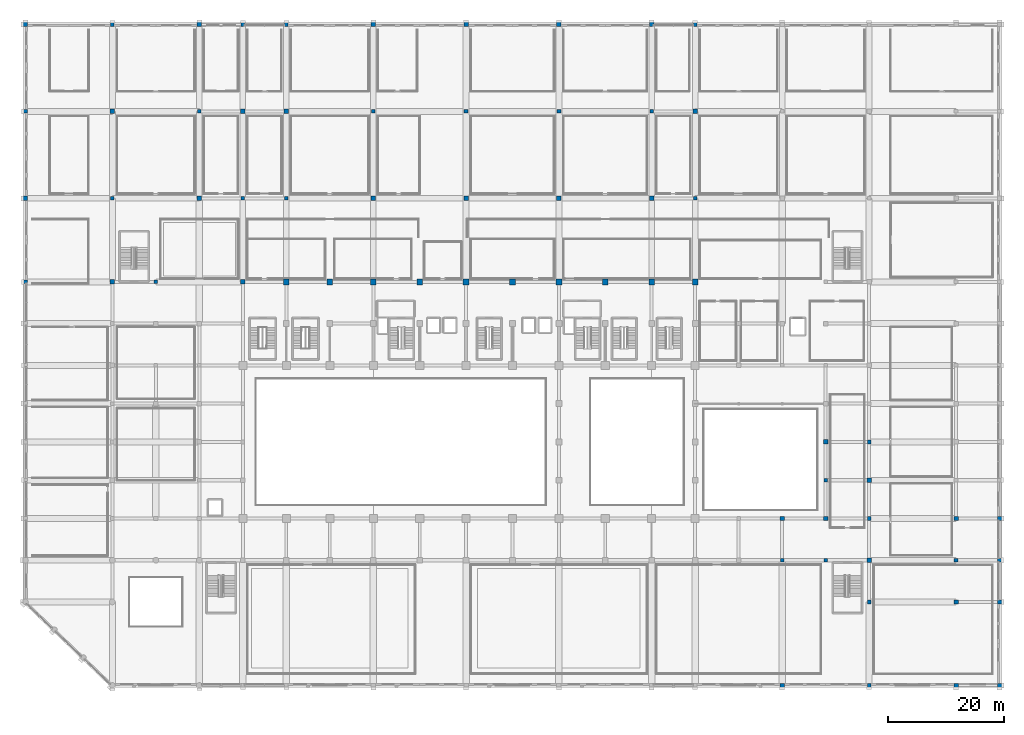
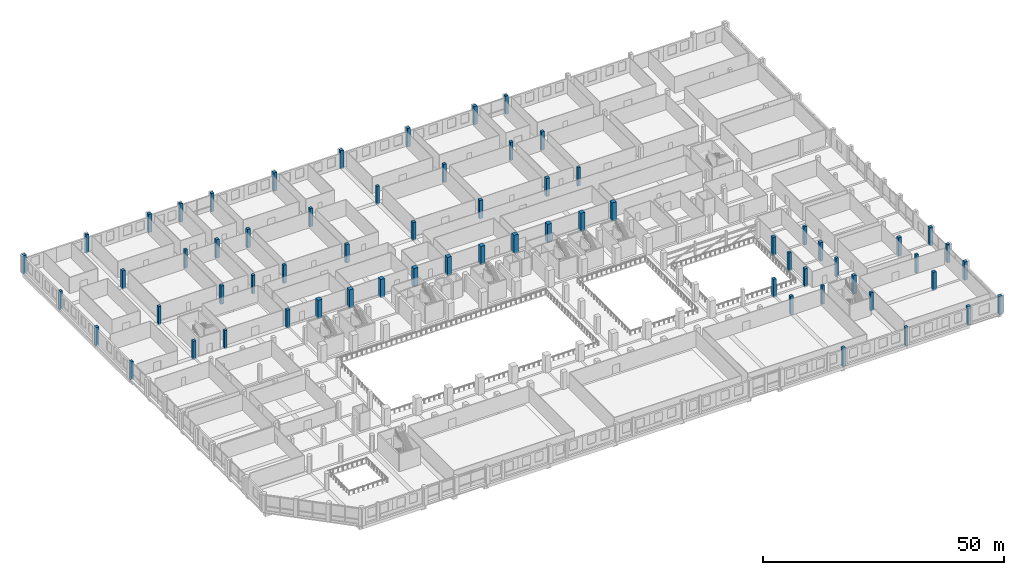
# One storey, part 3 of 64: 65 columns.
"""IFC4 building model written with IfcOpenShell, lengths in metres."""

from ifc_helpers import new_model, si_unit, direction, frame, origin, origin_2d, place, context, subcontext, project, spatial, rectangle, extrude, material, material_profile, profile_set, type_object, element, save


model = new_model("IFC4")

# Units and contexts
model_context = context("Model", 3, precision=1e-05, world=origin(), true_north=direction((0.0, 1.0)))
body_context = subcontext(model_context, "Body", "Model", "MODEL_VIEW")
ifc_project = project(units=[si_unit("LENGTHUNIT", "METRE"), si_unit("AREAUNIT", "SQUARE_METRE"), si_unit("VOLUMEUNIT", "CUBIC_METRE"), si_unit("PLANEANGLEUNIT", "RADIAN"), si_unit("MASSUNIT", "GRAM", prefix="KILO")], contexts=[model_context])

# Site, building, storey
site_placement = place(None, origin())
site = spatial("IfcSite", under=ifc_project, at=site_placement, CompositionType="ELEMENT")
building_placement = place(site_placement, origin())
building = spatial("IfcBuilding", under=site, at=building_placement, Name="Akrevak Sports Hall", CompositionType="ELEMENT")
storey_placement = place(building_placement, frame((0.0, 0.0, 4.60009765625)))
storey = spatial("IfcBuildingStorey", under=building, at=storey_placement, Name="L01", CompositionType="ELEMENT", Elevation=4.60009765625)

# Columns
ifc_material_1 = material(Name="Concrete C50/60", Category="concrete")
ifc_material_profile_1 = material_profile(ifc_material_1, rectangle(XDim=1.0, YDim=1.0, at=origin_2d()), Name="RC 1000x1000", Category="concrete")
ifc_profile_set_1 = profile_set([ifc_material_profile_1], Name="Concrete C50/60")
column_type_1 = type_object("IfcColumnType", Name="STR-COL-RC1000", PredefinedType="COLUMN", material=ifc_profile_set_1)
for number, where, z_axis, x_axis, name in (
    (1, (45.0, 69.60009765625, -0.300048828125), (0.0, 0.0, 1.0), (1.0, 0.0, 0.0), "Column 7/K (L01)"),
    (2, (52.5, 69.60009765625, -0.300048828125), (0.0, 0.0, 1.0), (1.0, 0.0, 0.0), "Column 8/K (L01)"),
    (3, (60.0, 69.60009765625, -0.300048828125), (0.0, 0.0, 1.0), (1.0, 0.0, 0.0), "Column 9/K (L01)"),
    (4, (68.0, 69.60009765625, -0.300048828125), (0.0, 0.0, 1.0), (1.0, 0.0, 0.0), "Column 10/K (L01)"),
    (5, (76.0, 69.60009765625, -0.300048828125), (0.0, 0.0, 1.0), (1.0, 0.0, 0.0), "Column 11/K (L01)"),
    (6, (84.0, 69.60009765625, -0.300048828125), (0.0, 0.0, 1.0), (1.0, 0.0, 0.0), "Column 12/K (L01)"),
    (7, (92.0, 69.60009765625, -0.300048828125), (0.0, 0.0, 1.0), (1.0, 0.0, 0.0), "Column 13/K (L01)"),
    (8, (100.0, 69.60009765625, -0.300048828125), (0.0, 0.0, 1.0), (1.0, 0.0, 0.0), "Column 14/K (L01)"),
    (9, (108.0, 69.60009765625, -0.300048828125), (0.0, 0.0, 1.0), (1.0, 0.0, 0.0), "Column 15/K (L01)"),
    (10, (115.5, 69.60009765625, -0.300048828125), (0.0, 0.0, 1.0), (1.0, 0.0, 0.0), "Column 16/K (L01)"),
):
    element("IfcColumn", number, at=place(storey_placement, frame(where, z_axis=z_axis, x_axis=x_axis)), inside=storey, type_object=column_type_1, Name=name, PredefinedType="COLUMN", context=body_context, shape_type="SweptSolid", body=[
        extrude(rectangle(XDim=1.0, YDim=1.0, at=origin_2d()), origin(), (0.0, 0.0, 1.0), 4.64990234375),
    ])
ifc_material_2 = material(Name="Concrete C40/50", Category="concrete")
ifc_material_profile_2 = material_profile(ifc_material_2, rectangle(XDim=0.64990234375, YDim=0.64990234375, at=origin_2d()), Name="RC 650x650", Category="concrete")
ifc_profile_set_2 = profile_set([ifc_material_profile_2], Name="Concrete C40/50")
column_type_2 = type_object("IfcColumnType", Name="STR-COL-RC650", PredefinedType="COLUMN", material=ifc_profile_set_2)
for number, where, z_axis, x_axis, name in (
    (11, (0.0, 69.60009765625, -0.300048828125), (0.0, 0.0, 1.0), (1.0, 0.0, 0.0), "Column 1/K (L01)"),
    (12, (0.0, 99.0, -0.300048828125), (0.0, 0.0, 1.0), (1.0, 0.0, 0.0), "Column 1/O (L01)"),
    (13, (15.0, 84.0, -0.300048828125), (0.0, 0.0, 1.0), (1.0, 0.0, 0.0), "Column 3/M (L01)"),
    (14, (15.0, 114.0, -0.300048828125), (0.0, 0.0, 1.0), (1.0, 0.0, 0.0), "Column 3/Q (L01)"),
    (15, (22.5, 69.60009765625, -0.300048828125), (0.0, 0.0, 1.0), (1.0, 0.0, 0.0), "Column 4/K (L01)"),
    (16, (30.0, 99.0, -0.300048828125), (0.0, 0.0, 1.0), (1.0, 0.0, 0.0), "Column 5/O (L01)"),
    (17, (37.5, 84.0, -0.300048828125), (0.0, 0.0, 1.0), (1.0, 0.0, 0.0), "Column 6/M (L01)"),
    (18, (37.5, 114.0, -0.300048828125), (0.0, 0.0, 1.0), (1.0, 0.0, 0.0), "Column 6/Q (L01)"),
    (19, (45.0, 84.0, -0.300048828125), (0.0, 0.0, 1.0), (1.0, 0.0, 0.0), "Column 7/M (L01)"),
    (20, (45.0, 114.0, -0.300048828125), (0.0, 0.0, 1.0), (1.0, 0.0, 0.0), "Column 7/Q (L01)"),
    (21, (60.0, 99.0, -0.300048828125), (0.0, 0.0, 1.0), (1.0, 0.0, 0.0), "Column 9/O (L01)"),
    (22, (76.0, 99.0, -0.300048828125), (0.0, 0.0, 1.0), (1.0, 0.0, 0.0), "Column 11/O (L01)"),
    (23, (92.0, 99.0, -0.300048828125), (0.0, 0.0, 1.0), (1.0, 0.0, 0.0), "Column 13/O (L01)"),
    (24, (108.0, 99.0, -0.300048828125), (0.0, 0.0, 1.0), (1.0, 0.0, 0.0), "Column 15/O (L01)"),
    (25, (115.5, 84.0, -0.300048828125), (0.0, 0.0, 1.0), (1.0, 0.0, 0.0), "Column 16/M (L01)"),
    (26, (115.5, 114.0, -0.300048828125), (0.0, 0.0, 1.0), (1.0, 0.0, 0.0), "Column 16/Q (L01)"),
    (27, (130.5, 21.60009765625, -0.300048828125), (0.0, 0.0, 1.0), (1.0, 0.0, 0.0), "Column 18/D (L01)"),
    (28, (138.0, 21.60009765625, -0.300048828125), (0.0, 0.0, 1.0), (1.0, 0.0, 0.0), "Column 19/D (L01)"),
    (29, (138.0, 35.39990234375, -0.300048828125), (0.0, 0.0, 1.0), (1.0, 0.0, 0.0), "Column 19/F (L01)"),
    (30, (145.5, 0.0, -0.300048828125), (0.0, 0.0, 1.0), (1.0, 0.0, 0.0), "Column 20/A (L01)"),
    (31, (145.5, 14.39990234375, -0.300048828125), (0.0, 0.0, 1.0), (1.0, 0.0, 0.0), "Column 20/C (L01)"),
    (32, (145.5, 28.800048828125, -0.300048828125), (0.0, 0.0, 1.0), (1.0, 0.0, 0.0), "Column 20/E (L01)"),
    (33, (145.5, 42.0, -0.300048828125), (0.0, 0.0, 1.0), (1.0, 0.0, 0.0), "Column 20/G (L01)"),
    (34, (160.5, 21.60009765625, -0.300048828125), (0.0, 0.0, 1.0), (1.0, 0.0, 0.0), "Column 22/D (L01)"),
    (35, (168.0, 21.60009765625, -0.300048828125), (0.0, 0.0, 1.0), (1.0, 0.0, 0.0), "Column 23/D (L01)"),
):
    element("IfcColumn", number, at=place(storey_placement, frame(where, z_axis=z_axis, x_axis=x_axis)), inside=storey, type_object=column_type_2, Name=name, PredefinedType="COLUMN", context=body_context, shape_type="SweptSolid", body=[
        extrude(rectangle(XDim=0.64990234375, YDim=0.64990234375, at=origin_2d()), origin(), (0.0, 0.0, 1.0), 4.64990234375),
    ])
ifc_material_profile_3 = material_profile(ifc_material_2, rectangle(XDim=0.75, YDim=0.75, at=origin_2d()), Name="RC 750x750", Category="concrete")
ifc_profile_set_3 = profile_set([ifc_material_profile_3], Name="Concrete C40/50")
column_type_3 = type_object("IfcColumnType", Name="STR-COL-RC750", PredefinedType="COLUMN", material=ifc_profile_set_3)
for number, where, z_axis, x_axis, name in (
    (36, (0.0, 84.0, -0.300048828125), (0.0, 0.0, 1.0), (1.0, 0.0, 0.0), "Column 1/M (L01)"),
    (37, (0.0, 114.0, -0.300048828125), (0.0, 0.0, 1.0), (1.0, 0.0, 0.0), "Column 1/Q (L01)"),
    (38, (15.0, 69.60009765625, -0.300048828125), (0.0, 0.0, 1.0), (1.0, 0.0, 0.0), "Column 3/K (L01)"),
    (39, (15.0, 99.0, -0.300048828125), (0.0, 0.0, 1.0), (1.0, 0.0, 0.0), "Column 3/O (L01)"),
    (40, (30.0, 84.0, -0.300048828125), (0.0, 0.0, 1.0), (1.0, 0.0, 0.0), "Column 5/M (L01)"),
    (41, (30.0, 114.0, -0.300048828125), (0.0, 0.0, 1.0), (1.0, 0.0, 0.0), "Column 5/Q (L01)"),
    (42, (37.5, 69.60009765625, -0.300048828125), (0.0, 0.0, 1.0), (1.0, 0.0, 0.0), "Column 6/K (L01)"),
    (43, (37.5, 99.0, -0.300048828125), (0.0, 0.0, 1.0), (1.0, 0.0, 0.0), "Column 6/O (L01)"),
    (44, (45.0, 99.0, -0.300048828125), (0.0, 0.0, 1.0), (1.0, 0.0, 0.0), "Column 7/O (L01)"),
    (45, (60.0, 84.0, -0.300048828125), (0.0, 0.0, 1.0), (1.0, 0.0, 0.0), "Column 9/M (L01)"),
    (46, (60.0, 114.0, -0.300048828125), (0.0, 0.0, 1.0), (1.0, 0.0, 0.0), "Column 9/Q (L01)"),
    (47, (76.0, 84.0, -0.300048828125), (0.0, 0.0, 1.0), (1.0, 0.0, 0.0), "Column 11/M (L01)"),
    (48, (76.0, 114.0, -0.300048828125), (0.0, 0.0, 1.0), (1.0, 0.0, 0.0), "Column 11/Q (L01)"),
    (49, (92.0, 84.0, -0.300048828125), (0.0, 0.0, 1.0), (1.0, 0.0, 0.0), "Column 13/M (L01)"),
    (50, (92.0, 114.0, -0.300048828125), (0.0, 0.0, 1.0), (1.0, 0.0, 0.0), "Column 13/Q (L01)"),
    (51, (108.0, 84.0, -0.300048828125), (0.0, 0.0, 1.0), (1.0, 0.0, 0.0), "Column 15/M (L01)"),
    (52, (108.0, 114.0, -0.300048828125), (0.0, 0.0, 1.0), (1.0, 0.0, 0.0), "Column 15/Q (L01)"),
    (53, (115.5, 99.0, -0.300048828125), (0.0, 0.0, 1.0), (1.0, 0.0, 0.0), "Column 16/O (L01)"),
    (54, (130.5, 0.0, -0.300048828125), (0.0, 0.0, 1.0), (1.0, 0.0, 0.0), "Column 18/A (L01)"),
    (55, (130.5, 28.800048828125, -0.300048828125), (0.0, 0.0, 1.0), (1.0, 0.0, 0.0), "Column 18/E (L01)"),
    (56, (138.0, 28.800048828125, -0.300048828125), (0.0, 0.0, 1.0), (1.0, 0.0, 0.0), "Column 19/E (L01)"),
    (57, (138.0, 42.0, -0.300048828125), (0.0, 0.0, 1.0), (1.0, 0.0, 0.0), "Column 19/G (L01)"),
    (58, (145.5, 21.60009765625, -0.300048828125), (0.0, 0.0, 1.0), (1.0, 0.0, 0.0), "Column 20/D (L01)"),
    (59, (145.5, 35.39990234375, -0.300048828125), (0.0, 0.0, 1.0), (1.0, 0.0, 0.0), "Column 20/F (L01)"),
    (60, (160.5, 0.0, -0.300048828125), (0.0, 0.0, 1.0), (1.0, 0.0, 0.0), "Column 22/A (L01)"),
    (61, (160.5, 14.39990234375, -0.300048828125), (0.0, 0.0, 1.0), (1.0, 0.0, 0.0), "Column 22/C (L01)"),
    (62, (160.5, 28.800048828125, -0.300048828125), (0.0, 0.0, 1.0), (1.0, 0.0, 0.0), "Column 22/E (L01)"),
    (63, (168.0, 0.0, -0.300048828125), (0.0, 0.0, 1.0), (1.0, 0.0, 0.0), "Column 23/A (L01)"),
    (64, (168.0, 14.39990234375, -0.300048828125), (0.0, 0.0, 1.0), (1.0, 0.0, 0.0), "Column 23/C (L01)"),
    (65, (168.0, 28.800048828125, -0.300048828125), (0.0, 0.0, 1.0), (1.0, 0.0, 0.0), "Column 23/E (L01)"),
):
    element("IfcColumn", number, at=place(storey_placement, frame(where, z_axis=z_axis, x_axis=x_axis)), inside=storey, type_object=column_type_3, Name=name, PredefinedType="COLUMN", context=body_context, shape_type="SweptSolid", body=[
        extrude(rectangle(XDim=0.75, YDim=0.75, at=origin_2d()), origin(), (0.0, 0.0, 1.0), 4.64990234375),
    ])

save(model, "model.ifc")
